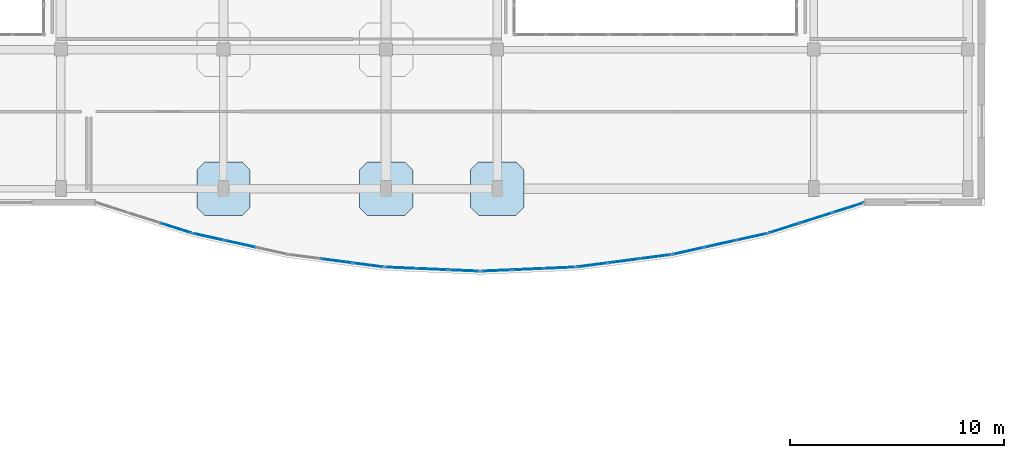
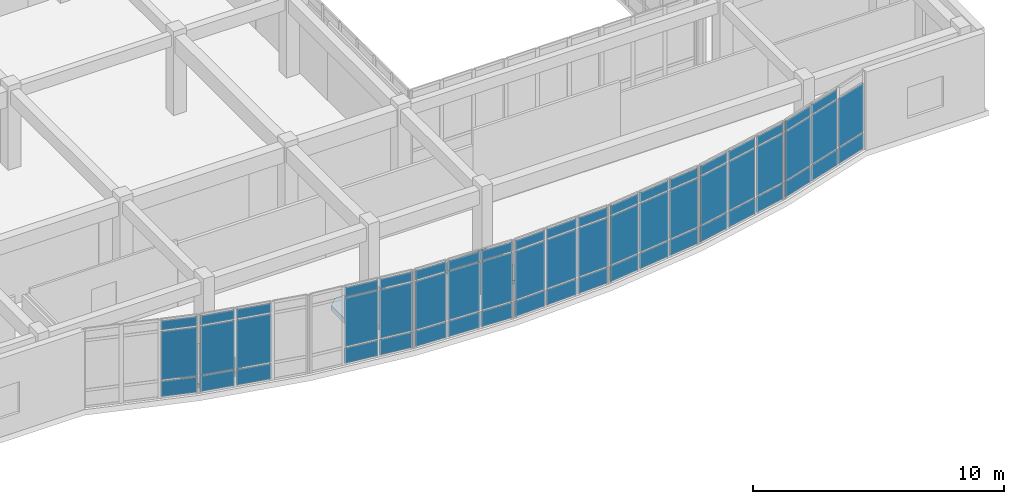
# One storey, part 118 of 146: 59 plates, 3 slabs, 8 elements without a shape of their own.
"""IFC4 building model written with IfcOpenShell, lengths in metres."""

from ifc_helpers import new_model, si_unit, direction, frame, origin, origin_2d, place, context, subcontext, project, spatial, polyline, rectangle, outline, extrude, material, layer, layer_set, type_object, element, aggregate, save


model = new_model("IFC4")

# Units and contexts
model_context = context("Model", 3, precision=1e-05, world=origin(), true_north=direction((0.0, 1.0)))
body_context = subcontext(model_context, "Body", "Model", "MODEL_VIEW")
ifc_project = project(units=[si_unit("LENGTHUNIT", "METRE"), si_unit("AREAUNIT", "SQUARE_METRE"), si_unit("VOLUMEUNIT", "CUBIC_METRE"), si_unit("PLANEANGLEUNIT", "RADIAN"), si_unit("MASSUNIT", "GRAM", prefix="KILO")], contexts=[model_context])

# Site, building, storey
site_placement = place(None, origin())
site = spatial("IfcSite", under=ifc_project, at=site_placement, CompositionType="ELEMENT")
building_placement = place(site_placement, origin())
building = spatial("IfcBuilding", under=site, at=building_placement, Name="Valcora Specialist Clinic", CompositionType="ELEMENT")
storey_placement = place(building_placement, frame((0.0, 0.0, 9.52001953125)))
storey = spatial("IfcBuildingStorey", under=building, at=storey_placement, Name="L02", CompositionType="ELEMENT", Elevation=9.52001953125)

# Curtain wall, plates
ifc_material_1 = material(Name="Anodized Bronze Aluminium 6063-T6", Category="aluminium")
ifc_layer_1 = layer(ifc_material_1, 0.175048828125)
ifc_layer_set_1 = layer_set([ifc_layer_1], Name="Anodized Bronze Aluminium 6063-T6")
curtain_wall_type = type_object("IfcCurtainWallType", Name="TY-CW-ARC40", PredefinedType="NOTDEFINED", material=ifc_layer_set_1)
curtain_wall_1_placement = place(storey_placement, origin())
curtain_wall_1 = element("IfcCurtainWall", 1, at=curtain_wall_1_placement, inside=storey, type_object=curtain_wall_type, Name="Curtain wall CW-L02-086", PredefinedType="NOTDEFINED")
ifc_material_2 = material(Name="Low-E Laminated Insulating Glass", Category="glass")
ifc_layer_2 = layer(ifc_material_2, 0.028076171875)
ifc_layer_set_2 = layer_set([ifc_layer_2], Name="Low-E Laminated Insulating Glass")
plate_type_1 = type_object("IfcPlateType", Name="TY-CWP-GLZ28", PredefinedType="CURTAIN_PANEL", material=ifc_layer_set_2)
plate_1_placement = place(storey_placement, frame((123.09716796875, 72.543701171875, 0.882568359375), z_axis=(0.0, 0.0, 1.0), x_axis=(-0.976278614432, -0.216518052372, 0.0)))
plate_1 = element("IfcPlate", 2, at=plate_1_placement, type_object=plate_type_1, Name="CW-ARC-40 panel 1.2", PredefinedType="CURTAIN_PANEL", context=body_context, shape_type="SweptSolid", body=[
    extrude(rectangle(XDim=1.4345703125, YDim=0.028076171875, at=origin_2d()), origin(), (0.0, 0.0, 1.0), 2.35498046875),
])
plate_2_placement = place(storey_placement, frame((123.09716796875, 72.543701171875, 3.302734375), z_axis=(0.0, 0.0, 1.0), x_axis=(-0.976278614432, -0.216518052372, 0.0)))
plate_2 = element("IfcPlate", 3, at=plate_2_placement, type_object=plate_type_1, Name="CW-ARC-40 panel 1.3", PredefinedType="CURTAIN_PANEL", context=body_context, shape_type="SweptSolid", body=[
    extrude(rectangle(XDim=1.4345703125, YDim=0.028076171875, at=origin_2d()), origin(), (0.0, 0.0, 1.0), 0.452392578125),
])
plate_3_placement = place(storey_placement, frame((121.617431640625, 72.21533203125, 0.882568359375), z_axis=(0.0, 0.0, 1.0), x_axis=(-0.976278614432, -0.216518052372, 0.0)))
plate_3 = element("IfcPlate", 4, at=plate_3_placement, type_object=plate_type_1, Name="CW-ARC-40 panel 2.2", PredefinedType="CURTAIN_PANEL", context=body_context, shape_type="SweptSolid", body=[
    extrude(rectangle(XDim=1.467041015625, YDim=0.028076171875, at=origin_2d()), origin(), (0.0, 0.0, 1.0), 2.35498046875),
])
plate_4_placement = place(storey_placement, frame((121.617431640625, 72.21533203125, 3.302734375), z_axis=(0.0, 0.0, 1.0), x_axis=(-0.976278614432, -0.216518052372, 0.0)))
plate_4 = element("IfcPlate", 5, at=plate_4_placement, type_object=plate_type_1, Name="CW-ARC-40 panel 2.3", PredefinedType="CURTAIN_PANEL", context=body_context, shape_type="SweptSolid", body=[
    extrude(rectangle(XDim=1.467041015625, YDim=0.028076171875, at=origin_2d()), origin(), (0.0, 0.0, 1.0), 0.452392578125),
])
plate_5_placement = place(storey_placement, frame((120.1376953125, 71.88720703125, 0.882568359375), z_axis=(0.0, 0.0, 1.0), x_axis=(-0.976278614432, -0.216518052372, 0.0)))
plate_5 = element("IfcPlate", 6, at=plate_5_placement, type_object=plate_type_1, Name="CW-ARC-40 panel 3.2", PredefinedType="CURTAIN_PANEL", context=body_context, shape_type="SweptSolid", body=[
    extrude(rectangle(XDim=1.4345703125, YDim=0.028076171875, at=origin_2d()), origin(), (0.0, 0.0, 1.0), 2.35498046875),
])
plate_6_placement = place(storey_placement, frame((120.1376953125, 71.88720703125, 3.302734375), z_axis=(0.0, 0.0, 1.0), x_axis=(-0.976278614432, -0.216518052372, 0.0)))
plate_6 = element("IfcPlate", 7, at=plate_6_placement, type_object=plate_type_1, Name="CW-ARC-40 panel 3.3", PredefinedType="CURTAIN_PANEL", context=body_context, shape_type="SweptSolid", body=[
    extrude(rectangle(XDim=1.4345703125, YDim=0.028076171875, at=origin_2d()), origin(), (0.0, 0.0, 1.0), 0.452392578125),
])

curtain_wall_2_placement = place(storey_placement, origin())
curtain_wall_2 = element("IfcCurtainWall", 8, at=curtain_wall_2_placement, inside=storey, type_object=curtain_wall_type, Name="Curtain wall CW-L02-088", PredefinedType="NOTDEFINED")
plate_7_placement = place(storey_placement, frame((114.123046875, 71.096435546875, 0.882568359375), z_axis=(0.0, 0.0, 1.0), x_axis=(-0.999061821291, -0.043306780525, 0.0)))
plate_7 = element("IfcPlate", 9, at=plate_7_placement, type_object=plate_type_1, Name="CW-ARC-40 panel 1.2", PredefinedType="CURTAIN_PANEL", context=body_context, shape_type="SweptSolid", body=[
    extrude(rectangle(XDim=1.399658203125, YDim=0.028076171875, at=origin_2d()), origin(), (0.0, 0.0, 1.0), 2.35498046875),
])
plate_8_placement = place(storey_placement, frame((114.123046875, 71.096435546875, 3.302734375), z_axis=(0.0, 0.0, 1.0), x_axis=(-0.999061821291, -0.043306780525, 0.0)))
plate_8 = element("IfcPlate", 10, at=plate_8_placement, type_object=plate_type_1, Name="CW-ARC-40 panel 1.3", PredefinedType="CURTAIN_PANEL", context=body_context, shape_type="SweptSolid", body=[
    extrude(rectangle(XDim=1.399658203125, YDim=0.028076171875, at=origin_2d()), origin(), (0.0, 0.0, 1.0), 0.452392578125),
])
plate_9_placement = place(storey_placement, frame((112.6435546875, 71.032470703125, 0.882568359375), z_axis=(0.0, 0.0, 1.0), x_axis=(-0.999061821291, -0.043306780525, 0.0)))
plate_9 = element("IfcPlate", 11, at=plate_9_placement, type_object=plate_type_1, Name="CW-ARC-40 panel 2.2", PredefinedType="CURTAIN_PANEL", context=body_context, shape_type="SweptSolid", body=[
    extrude(rectangle(XDim=1.43212890625, YDim=0.028076171875, at=origin_2d()), origin(), (0.0, 0.0, 1.0), 2.35498046875),
])
plate_10_placement = place(storey_placement, frame((112.6435546875, 71.032470703125, 3.302734375), z_axis=(0.0, 0.0, 1.0), x_axis=(-0.999061821291, -0.043306780525, 0.0)))
plate_10 = element("IfcPlate", 12, at=plate_10_placement, type_object=plate_type_1, Name="CW-ARC-40 panel 2.3", PredefinedType="CURTAIN_PANEL", context=body_context, shape_type="SweptSolid", body=[
    extrude(rectangle(XDim=1.43212890625, YDim=0.028076171875, at=origin_2d()), origin(), (0.0, 0.0, 1.0), 0.452392578125),
])
plate_11_placement = place(storey_placement, frame((111.1640625, 70.96826171875, 0.882568359375), z_axis=(0.0, 0.0, 1.0), x_axis=(-0.999061821291, -0.043306780525, 0.0)))
plate_11 = element("IfcPlate", 13, at=plate_11_placement, type_object=plate_type_1, Name="CW-ARC-40 panel 3.2", PredefinedType="CURTAIN_PANEL", context=body_context, shape_type="SweptSolid", body=[
    extrude(rectangle(XDim=1.399658203125, YDim=0.028076171875, at=origin_2d()), origin(), (0.0, 0.0, 1.0), 2.35498046875),
])
plate_12_placement = place(storey_placement, frame((111.1640625, 70.96826171875, 3.302734375), z_axis=(0.0, 0.0, 1.0), x_axis=(-0.999061821291, -0.043306780525, 0.0)))
plate_12 = element("IfcPlate", 14, at=plate_12_placement, type_object=plate_type_1, Name="CW-ARC-40 panel 3.3", PredefinedType="CURTAIN_PANEL", context=body_context, shape_type="SweptSolid", body=[
    extrude(rectangle(XDim=1.399658203125, YDim=0.028076171875, at=origin_2d()), origin(), (0.0, 0.0, 1.0), 0.452392578125),
])

curtain_wall_3_placement = place(storey_placement, origin())
curtain_wall_3 = element("IfcCurtainWall", 15, at=curtain_wall_3_placement, inside=storey, type_object=curtain_wall_type, Name="Curtain wall CW-L02-090", PredefinedType="NOTDEFINED")
plate_13_placement = place(storey_placement, frame((105.149169921875, 71.229736328125, 0.882568359375), z_axis=(0.0, 0.0, 1.0), x_axis=(-0.991514060421, 0.129999492259, 0.0)))
plate_13 = element("IfcPlate", 16, at=plate_13_placement, type_object=plate_type_1, Name="CW-ARC-40 panel 1.2", PredefinedType="CURTAIN_PANEL", context=body_context, shape_type="SweptSolid", body=[
    extrude(rectangle(XDim=1.410888671875, YDim=0.028076171875, at=origin_2d()), origin(), (0.0, 0.0, 1.0), 2.35498046875),
])
plate_14_placement = place(storey_placement, frame((105.149169921875, 71.229736328125, 3.302734375), z_axis=(0.0, 0.0, 1.0), x_axis=(-0.991514060421, 0.129999492259, 0.0)))
plate_14 = element("IfcPlate", 17, at=plate_14_placement, type_object=plate_type_1, Name="CW-ARC-40 panel 1.3", PredefinedType="CURTAIN_PANEL", context=body_context, shape_type="SweptSolid", body=[
    extrude(rectangle(XDim=1.410888671875, YDim=0.028076171875, at=origin_2d()), origin(), (0.0, 0.0, 1.0), 0.452392578125),
])
plate_15_placement = place(storey_placement, frame((103.66943359375, 71.423828125, 0.882568359375), z_axis=(0.0, 0.0, 1.0), x_axis=(-0.991514060421, 0.129999492259, 0.0)))
plate_15 = element("IfcPlate", 18, at=plate_15_placement, type_object=plate_type_1, Name="CW-ARC-40 panel 2.2", PredefinedType="CURTAIN_PANEL", context=body_context, shape_type="SweptSolid", body=[
    extrude(rectangle(XDim=1.443359375, YDim=0.028076171875, at=origin_2d()), origin(), (0.0, 0.0, 1.0), 2.35498046875),
])
plate_16_placement = place(storey_placement, frame((103.66943359375, 71.423828125, 3.302734375), z_axis=(0.0, 0.0, 1.0), x_axis=(-0.991514060421, 0.129999492259, 0.0)))
plate_16 = element("IfcPlate", 19, at=plate_16_placement, type_object=plate_type_1, Name="CW-ARC-40 panel 2.3", PredefinedType="CURTAIN_PANEL", context=body_context, shape_type="SweptSolid", body=[
    extrude(rectangle(XDim=1.443359375, YDim=0.028076171875, at=origin_2d()), origin(), (0.0, 0.0, 1.0), 0.452392578125),
])

curtain_wall_4_placement = place(storey_placement, origin())
curtain_wall_4 = element("IfcCurtainWall", 20, at=curtain_wall_4_placement, inside=storey, type_object=curtain_wall_type, Name="Curtain wall CW-L02-092", PredefinedType="NOTDEFINED")
plate_17_placement = place(storey_placement, frame((96.1708984375, 72.95751953125, 0.882568359375), z_axis=(0.0, 0.0, 1.0), x_axis=(-0.952916356972, 0.303233270958, 0.0)))
plate_17 = element("IfcPlate", 21, at=plate_17_placement, type_object=plate_type_1, Name="CW-ARC-40 panel 1.2", PredefinedType="CURTAIN_PANEL", context=body_context, shape_type="SweptSolid", body=[
    extrude(rectangle(XDim=1.482177734375, YDim=0.028076171875, at=origin_2d()), origin(), (0.0, 0.0, 1.0), 2.35498046875),
])
plate_18_placement = place(storey_placement, frame((96.1708984375, 72.95751953125, 3.302734375), z_axis=(0.0, 0.0, 1.0), x_axis=(-0.952916356972, 0.303233270958, 0.0)))
plate_18 = element("IfcPlate", 22, at=plate_18_placement, type_object=plate_type_1, Name="CW-ARC-40 panel 1.3", PredefinedType="CURTAIN_PANEL", context=body_context, shape_type="SweptSolid", body=[
    extrude(rectangle(XDim=1.482177734375, YDim=0.028076171875, at=origin_2d()), origin(), (0.0, 0.0, 1.0), 0.452392578125),
])

curtain_wall_5_placement = place(storey_placement, origin())
curtain_wall_5 = element("IfcCurtainWall", 23, at=curtain_wall_5_placement, inside=storey, type_object=curtain_wall_type, Name="Curtain wall CW-L02-085", PredefinedType="NOTDEFINED")
ifc_layer_3 = layer(ifc_material_2, 0.033935546875)
ifc_layer_set_3 = layer_set([ifc_layer_3], Name="Low-E Laminated Insulating Glass")
plate_type_2 = type_object("IfcPlateType", Name="TY-CWP-GLZ34", PredefinedType="CURTAIN_PANEL", material=ifc_layer_set_3)
plate_19_placement = place(storey_placement, frame((127.608642578125, 73.905517578125, 0.882568359375), z_axis=(0.0, 0.0, 1.0), x_axis=(-0.952916356972, -0.303233270958, 0.0)))
plate_19 = element("IfcPlate", 24, at=plate_19_placement, type_object=plate_type_2, Name="CW-ARC-40 panel 1.2", PredefinedType="CURTAIN_PANEL", context=body_context, shape_type="SweptSolid", body=[
    extrude(rectangle(XDim=1.482177734375, YDim=0.033935546875, at=origin_2d()), origin(), (0.0, 0.0, 1.0), 2.35498046875),
])
plate_20_placement = place(storey_placement, frame((126.118896484375, 73.431396484375, 0.882568359375), z_axis=(0.0, 0.0, 1.0), x_axis=(-0.952916356972, -0.303233270958, 0.0)))
plate_20 = element("IfcPlate", 25, at=plate_20_placement, type_object=plate_type_2, Name="CW-ARC-40 panel 2.2", PredefinedType="CURTAIN_PANEL", context=body_context, shape_type="SweptSolid", body=[
    extrude(rectangle(XDim=1.5146484375, YDim=0.033935546875, at=origin_2d()), origin(), (0.0, 0.0, 1.0), 2.35498046875),
])
plate_21_placement = place(storey_placement, frame((126.118896484375, 73.431396484375, 3.302734375), z_axis=(0.0, 0.0, 1.0), x_axis=(-0.952916356972, -0.303233270958, 0.0)))
plate_21 = element("IfcPlate", 26, at=plate_21_placement, type_object=plate_type_2, Name="CW-ARC-40 panel 2.3", PredefinedType="CURTAIN_PANEL", context=body_context, shape_type="SweptSolid", body=[
    extrude(rectangle(XDim=1.5146484375, YDim=0.033935546875, at=origin_2d()), origin(), (0.0, 0.0, 1.0), 0.452392578125),
])
plate_22_placement = place(storey_placement, frame((124.62890625, 72.95751953125, 0.882568359375), z_axis=(0.0, 0.0, 1.0), x_axis=(-0.952916356972, -0.303233270958, 0.0)))
plate_22 = element("IfcPlate", 27, at=plate_22_placement, type_object=plate_type_2, Name="CW-ARC-40 panel 3.2", PredefinedType="CURTAIN_PANEL", context=body_context, shape_type="SweptSolid", body=[
    extrude(rectangle(XDim=1.482177734375, YDim=0.033935546875, at=origin_2d()), origin(), (0.0, 0.0, 1.0), 2.35498046875),
])
plate_23_placement = place(storey_placement, frame((124.62890625, 72.95751953125, 3.302734375), z_axis=(0.0, 0.0, 1.0), x_axis=(-0.952916356972, -0.303233270958, 0.0)))
plate_23 = element("IfcPlate", 28, at=plate_23_placement, type_object=plate_type_2, Name="CW-ARC-40 panel 3.3", PredefinedType="CURTAIN_PANEL", context=body_context, shape_type="SweptSolid", body=[
    extrude(rectangle(XDim=1.482177734375, YDim=0.033935546875, at=origin_2d()), origin(), (0.0, 0.0, 1.0), 0.452392578125),
])

curtain_wall_6_placement = place(storey_placement, origin())
curtain_wall_6 = element("IfcCurtainWall", 29, at=curtain_wall_6_placement, inside=storey, type_object=curtain_wall_type, Name="Curtain wall CW-L02-087", PredefinedType="NOTDEFINED")
plate_24_placement = place(storey_placement, frame((118.610107421875, 71.61767578125, 0.882568359375), z_axis=(0.0, 0.0, 1.0), x_axis=(-0.991514060421, -0.129999492259, 0.0)))
plate_24 = element("IfcPlate", 30, at=plate_24_placement, type_object=plate_type_2, Name="CW-ARC-40 panel 1.2", PredefinedType="CURTAIN_PANEL", context=body_context, shape_type="SweptSolid", body=[
    extrude(rectangle(XDim=1.410888671875, YDim=0.033935546875, at=origin_2d()), origin(), (0.0, 0.0, 1.0), 2.35498046875),
])
plate_25_placement = place(storey_placement, frame((118.610107421875, 71.61767578125, 3.302734375), z_axis=(0.0, 0.0, 1.0), x_axis=(-0.991514060421, -0.129999492259, 0.0)))
plate_25 = element("IfcPlate", 31, at=plate_25_placement, type_object=plate_type_2, Name="CW-ARC-40 panel 1.3", PredefinedType="CURTAIN_PANEL", context=body_context, shape_type="SweptSolid", body=[
    extrude(rectangle(XDim=1.410888671875, YDim=0.033935546875, at=origin_2d()), origin(), (0.0, 0.0, 1.0), 0.452392578125),
])
plate_26_placement = place(storey_placement, frame((117.130615234375, 71.423828125, 0.882568359375), z_axis=(0.0, 0.0, 1.0), x_axis=(-0.991514060421, -0.129999492259, 0.0)))
plate_26 = element("IfcPlate", 32, at=plate_26_placement, type_object=plate_type_2, Name="CW-ARC-40 panel 2.2", PredefinedType="CURTAIN_PANEL", context=body_context, shape_type="SweptSolid", body=[
    extrude(rectangle(XDim=1.443359375, YDim=0.033935546875, at=origin_2d()), origin(), (0.0, 0.0, 1.0), 2.35498046875),
])
plate_27_placement = place(storey_placement, frame((117.130615234375, 71.423828125, 3.302734375), z_axis=(0.0, 0.0, 1.0), x_axis=(-0.991514060421, -0.129999492259, 0.0)))
plate_27 = element("IfcPlate", 33, at=plate_27_placement, type_object=plate_type_2, Name="CW-ARC-40 panel 2.3", PredefinedType="CURTAIN_PANEL", context=body_context, shape_type="SweptSolid", body=[
    extrude(rectangle(XDim=1.443359375, YDim=0.033935546875, at=origin_2d()), origin(), (0.0, 0.0, 1.0), 0.452392578125),
])
plate_28_placement = place(storey_placement, frame((115.65087890625, 71.229736328125, 0.882568359375), z_axis=(0.0, 0.0, 1.0), x_axis=(-0.991514060421, -0.129999492259, 0.0)))
plate_28 = element("IfcPlate", 34, at=plate_28_placement, type_object=plate_type_2, Name="CW-ARC-40 panel 3.2", PredefinedType="CURTAIN_PANEL", context=body_context, shape_type="SweptSolid", body=[
    extrude(rectangle(XDim=1.410888671875, YDim=0.033935546875, at=origin_2d()), origin(), (0.0, 0.0, 1.0), 2.35498046875),
])
plate_29_placement = place(storey_placement, frame((115.65087890625, 71.229736328125, 3.302734375), z_axis=(0.0, 0.0, 1.0), x_axis=(-0.991514060421, -0.129999492259, 0.0)))
plate_29 = element("IfcPlate", 35, at=plate_29_placement, type_object=plate_type_2, Name="CW-ARC-40 panel 3.3", PredefinedType="CURTAIN_PANEL", context=body_context, shape_type="SweptSolid", body=[
    extrude(rectangle(XDim=1.410888671875, YDim=0.033935546875, at=origin_2d()), origin(), (0.0, 0.0, 1.0), 0.452392578125),
])

curtain_wall_7_placement = place(storey_placement, origin())
curtain_wall_7 = element("IfcCurtainWall", 36, at=curtain_wall_7_placement, inside=storey, type_object=curtain_wall_type, Name="Curtain wall CW-L02-089", PredefinedType="NOTDEFINED")
plate_30_placement = place(storey_placement, frame((109.635986328125, 70.96826171875, 0.882568359375), z_axis=(0.0, 0.0, 1.0), x_axis=(-0.999061821291, 0.043306780525, 0.0)))
plate_30 = element("IfcPlate", 37, at=plate_30_placement, type_object=plate_type_2, Name="CW-ARC-40 panel 1.2", PredefinedType="CURTAIN_PANEL", context=body_context, shape_type="SweptSolid", body=[
    extrude(rectangle(XDim=1.399658203125, YDim=0.033935546875, at=origin_2d()), origin(), (0.0, 0.0, 1.0), 2.35498046875),
])
plate_31_placement = place(storey_placement, frame((109.635986328125, 70.96826171875, 3.302734375), z_axis=(0.0, 0.0, 1.0), x_axis=(-0.999061821291, 0.043306780525, 0.0)))
plate_31 = element("IfcPlate", 38, at=plate_31_placement, type_object=plate_type_2, Name="CW-ARC-40 panel 1.3", PredefinedType="CURTAIN_PANEL", context=body_context, shape_type="SweptSolid", body=[
    extrude(rectangle(XDim=1.399658203125, YDim=0.033935546875, at=origin_2d()), origin(), (0.0, 0.0, 1.0), 0.452392578125),
])
plate_32_placement = place(storey_placement, frame((108.156494140625, 71.032470703125, 0.882568359375), z_axis=(0.0, 0.0, 1.0), x_axis=(-0.999061821291, 0.043306780525, 0.0)))
plate_32 = element("IfcPlate", 39, at=plate_32_placement, type_object=plate_type_2, Name="CW-ARC-40 panel 2.2", PredefinedType="CURTAIN_PANEL", context=body_context, shape_type="SweptSolid", body=[
    extrude(rectangle(XDim=1.43212890625, YDim=0.033935546875, at=origin_2d()), origin(), (0.0, 0.0, 1.0), 2.35498046875),
])
plate_33_placement = place(storey_placement, frame((108.156494140625, 71.032470703125, 3.302734375), z_axis=(0.0, 0.0, 1.0), x_axis=(-0.999061821291, 0.043306780525, 0.0)))
plate_33 = element("IfcPlate", 40, at=plate_33_placement, type_object=plate_type_2, Name="CW-ARC-40 panel 2.3", PredefinedType="CURTAIN_PANEL", context=body_context, shape_type="SweptSolid", body=[
    extrude(rectangle(XDim=1.43212890625, YDim=0.033935546875, at=origin_2d()), origin(), (0.0, 0.0, 1.0), 0.452392578125),
])
plate_34_placement = place(storey_placement, frame((106.677001953125, 71.096435546875, 0.882568359375), z_axis=(0.0, 0.0, 1.0), x_axis=(-0.999061821291, 0.043306780525, 0.0)))
plate_34 = element("IfcPlate", 41, at=plate_34_placement, type_object=plate_type_2, Name="CW-ARC-40 panel 3.2", PredefinedType="CURTAIN_PANEL", context=body_context, shape_type="SweptSolid", body=[
    extrude(rectangle(XDim=1.399658203125, YDim=0.033935546875, at=origin_2d()), origin(), (0.0, 0.0, 1.0), 2.35498046875),
])
plate_35_placement = place(storey_placement, frame((106.677001953125, 71.096435546875, 3.302734375), z_axis=(0.0, 0.0, 1.0), x_axis=(-0.999061821291, 0.043306780525, 0.0)))
plate_35 = element("IfcPlate", 42, at=plate_35_placement, type_object=plate_type_2, Name="CW-ARC-40 panel 3.3", PredefinedType="CURTAIN_PANEL", context=body_context, shape_type="SweptSolid", body=[
    extrude(rectangle(XDim=1.399658203125, YDim=0.033935546875, at=origin_2d()), origin(), (0.0, 0.0, 1.0), 0.452392578125),
])

curtain_wall_8_placement = place(storey_placement, origin())
curtain_wall_8 = element("IfcCurtainWall", 43, at=curtain_wall_8_placement, inside=storey, type_object=curtain_wall_type, Name="Curtain wall CW-L02-091", PredefinedType="NOTDEFINED")
plate_36_placement = place(storey_placement, frame((99.1826171875, 72.21533203125, 0.882568359375), z_axis=(0.0, 0.0, 1.0), x_axis=(-0.976278614432, 0.216518052372, 0.0)))
plate_36 = element("IfcPlate", 44, at=plate_36_placement, type_object=plate_type_2, Name="CW-ARC-40 panel 2.2", PredefinedType="CURTAIN_PANEL", context=body_context, shape_type="SweptSolid", body=[
    extrude(rectangle(XDim=1.467041015625, YDim=0.033935546875, at=origin_2d()), origin(), (0.0, 0.0, 1.0), 2.35498046875),
])
plate_37_placement = place(storey_placement, frame((99.1826171875, 72.21533203125, 3.302734375), z_axis=(0.0, 0.0, 1.0), x_axis=(-0.976278614432, 0.216518052372, 0.0)))
plate_37 = element("IfcPlate", 45, at=plate_37_placement, type_object=plate_type_2, Name="CW-ARC-40 panel 2.3", PredefinedType="CURTAIN_PANEL", context=body_context, shape_type="SweptSolid", body=[
    extrude(rectangle(XDim=1.467041015625, YDim=0.033935546875, at=origin_2d()), origin(), (0.0, 0.0, 1.0), 0.452392578125),
])
plate_38_placement = place(storey_placement, frame((97.702880859375, 72.543701171875, 0.882568359375), z_axis=(0.0, 0.0, 1.0), x_axis=(-0.976278614432, 0.216518052372, 0.0)))
plate_38 = element("IfcPlate", 46, at=plate_38_placement, type_object=plate_type_2, Name="CW-ARC-40 panel 3.2", PredefinedType="CURTAIN_PANEL", context=body_context, shape_type="SweptSolid", body=[
    extrude(rectangle(XDim=1.4345703125, YDim=0.033935546875, at=origin_2d()), origin(), (0.0, 0.0, 1.0), 2.35498046875),
])
plate_39_placement = place(storey_placement, frame((97.702880859375, 72.543701171875, 3.302734375), z_axis=(0.0, 0.0, 1.0), x_axis=(-0.976278614432, 0.216518052372, 0.0)))
plate_39 = element("IfcPlate", 47, at=plate_39_placement, type_object=plate_type_2, Name="CW-ARC-40 panel 3.3", PredefinedType="CURTAIN_PANEL", context=body_context, shape_type="SweptSolid", body=[
    extrude(rectangle(XDim=1.4345703125, YDim=0.033935546875, at=origin_2d()), origin(), (0.0, 0.0, 1.0), 0.452392578125),
])

# Plate
ifc_material_3 = material(Name="Insulated Spandrel Panel")
ifc_layer_4 = layer(ifc_material_3, 0.044921875)
ifc_layer_set_4 = layer_set([ifc_layer_4], Name="Insulated Spandrel Panel")
plate_type_3 = type_object("IfcPlateType", Name="TY-CWP-SPN45", PredefinedType="SHEET", material=ifc_layer_set_4)
plate_40_placement = place(storey_placement, frame((127.608642578125, 73.905517578125, 0.06494140625), z_axis=(0.0, 0.0, 1.0), x_axis=(-0.952916356972, -0.303233270958, 0.0)))
plate_40 = element("IfcPlate", 48, at=plate_40_placement, type_object=plate_type_3, Name="CW-ARC-40 panel 1.1", PredefinedType="SHEET", context=body_context, shape_type="SweptSolid", body=[
    extrude(rectangle(XDim=1.482177734375, YDim=0.044921875, at=origin_2d()), origin(), (0.0, 0.0, 1.0), 0.75244140625),
])

plate_41_placement = place(storey_placement, frame((126.118896484375, 73.431396484375, 0.06494140625), z_axis=(0.0, 0.0, 1.0), x_axis=(-0.952916356972, -0.303233270958, 0.0)))
plate_41 = element("IfcPlate", 49, at=plate_41_placement, type_object=plate_type_3, Name="CW-ARC-40 panel 2.1", PredefinedType="SHEET", context=body_context, shape_type="SweptSolid", body=[
    extrude(rectangle(XDim=1.5146484375, YDim=0.044921875, at=origin_2d()), origin(), (0.0, 0.0, 1.0), 0.75244140625),
])

plate_42_placement = place(storey_placement, frame((124.62890625, 72.95751953125, 0.06494140625), z_axis=(0.0, 0.0, 1.0), x_axis=(-0.952916356972, -0.303233270958, 0.0)))
plate_42 = element("IfcPlate", 50, at=plate_42_placement, type_object=plate_type_3, Name="CW-ARC-40 panel 3.1", PredefinedType="SHEET", context=body_context, shape_type="SweptSolid", body=[
    extrude(rectangle(XDim=1.482177734375, YDim=0.044921875, at=origin_2d()), origin(), (0.0, 0.0, 1.0), 0.75244140625),
])

aggregate(curtain_wall_5, [plate_40, plate_19, plate_41, plate_20, plate_21, plate_42, plate_22, plate_23])

plate_43_placement = place(storey_placement, frame((123.09716796875, 72.543701171875, 0.06494140625), z_axis=(0.0, 0.0, 1.0), x_axis=(-0.976278614432, -0.216518052372, 0.0)))
plate_43 = element("IfcPlate", 51, at=plate_43_placement, type_object=plate_type_3, Name="CW-ARC-40 panel 1.1", PredefinedType="SHEET", context=body_context, shape_type="SweptSolid", body=[
    extrude(rectangle(XDim=1.4345703125, YDim=0.044921875, at=origin_2d()), origin(), (0.0, 0.0, 1.0), 0.75244140625),
])

plate_44_placement = place(storey_placement, frame((121.617431640625, 72.21533203125, 0.06494140625), z_axis=(0.0, 0.0, 1.0), x_axis=(-0.976278614432, -0.216518052372, 0.0)))
plate_44 = element("IfcPlate", 52, at=plate_44_placement, type_object=plate_type_3, Name="CW-ARC-40 panel 2.1", PredefinedType="SHEET", context=body_context, shape_type="SweptSolid", body=[
    extrude(rectangle(XDim=1.467041015625, YDim=0.044921875, at=origin_2d()), origin(), (0.0, 0.0, 1.0), 0.75244140625),
])

plate_45_placement = place(storey_placement, frame((120.1376953125, 71.88720703125, 0.06494140625), z_axis=(0.0, 0.0, 1.0), x_axis=(-0.976278614432, -0.216518052372, 0.0)))
plate_45 = element("IfcPlate", 53, at=plate_45_placement, type_object=plate_type_3, Name="CW-ARC-40 panel 3.1", PredefinedType="SHEET", context=body_context, shape_type="SweptSolid", body=[
    extrude(rectangle(XDim=1.4345703125, YDim=0.044921875, at=origin_2d()), origin(), (0.0, 0.0, 1.0), 0.75244140625),
])

aggregate(curtain_wall_1, [plate_43, plate_1, plate_2, plate_44, plate_3, plate_4, plate_45, plate_5, plate_6])

plate_46_placement = place(storey_placement, frame((118.610107421875, 71.61767578125, 0.06494140625), z_axis=(0.0, 0.0, 1.0), x_axis=(-0.991514060421, -0.129999492259, 0.0)))
plate_46 = element("IfcPlate", 54, at=plate_46_placement, type_object=plate_type_3, Name="CW-ARC-40 panel 1.1", PredefinedType="SHEET", context=body_context, shape_type="SweptSolid", body=[
    extrude(rectangle(XDim=1.410888671875, YDim=0.044921875, at=origin_2d()), origin(), (0.0, 0.0, 1.0), 0.75244140625),
])

plate_47_placement = place(storey_placement, frame((117.130615234375, 71.423828125, 0.06494140625), z_axis=(0.0, 0.0, 1.0), x_axis=(-0.991514060421, -0.129999492259, 0.0)))
plate_47 = element("IfcPlate", 55, at=plate_47_placement, type_object=plate_type_3, Name="CW-ARC-40 panel 2.1", PredefinedType="SHEET", context=body_context, shape_type="SweptSolid", body=[
    extrude(rectangle(XDim=1.443359375, YDim=0.044921875, at=origin_2d()), origin(), (0.0, 0.0, 1.0), 0.75244140625),
])

plate_48_placement = place(storey_placement, frame((115.65087890625, 71.229736328125, 0.06494140625), z_axis=(0.0, 0.0, 1.0), x_axis=(-0.991514060421, -0.129999492259, 0.0)))
plate_48 = element("IfcPlate", 56, at=plate_48_placement, type_object=plate_type_3, Name="CW-ARC-40 panel 3.1", PredefinedType="SHEET", context=body_context, shape_type="SweptSolid", body=[
    extrude(rectangle(XDim=1.410888671875, YDim=0.044921875, at=origin_2d()), origin(), (0.0, 0.0, 1.0), 0.75244140625),
])

aggregate(curtain_wall_6, [plate_46, plate_24, plate_25, plate_47, plate_26, plate_27, plate_48, plate_28, plate_29])

plate_49_placement = place(storey_placement, frame((114.123046875, 71.096435546875, 0.06494140625), z_axis=(0.0, 0.0, 1.0), x_axis=(-0.999061821291, -0.043306780525, 0.0)))
plate_49 = element("IfcPlate", 57, at=plate_49_placement, type_object=plate_type_3, Name="CW-ARC-40 panel 1.1", PredefinedType="SHEET", context=body_context, shape_type="SweptSolid", body=[
    extrude(rectangle(XDim=1.399658203125, YDim=0.044921875, at=origin_2d()), origin(), (0.0, 0.0, 1.0), 0.75244140625),
])

plate_50_placement = place(storey_placement, frame((112.6435546875, 71.032470703125, 0.06494140625), z_axis=(0.0, 0.0, 1.0), x_axis=(-0.999061821291, -0.043306780525, 0.0)))
plate_50 = element("IfcPlate", 58, at=plate_50_placement, type_object=plate_type_3, Name="CW-ARC-40 panel 2.1", PredefinedType="SHEET", context=body_context, shape_type="SweptSolid", body=[
    extrude(rectangle(XDim=1.43212890625, YDim=0.044921875, at=origin_2d()), origin(), (0.0, 0.0, 1.0), 0.75244140625),
])

plate_51_placement = place(storey_placement, frame((111.1640625, 70.96826171875, 0.06494140625), z_axis=(0.0, 0.0, 1.0), x_axis=(-0.999061821291, -0.043306780525, 0.0)))
plate_51 = element("IfcPlate", 59, at=plate_51_placement, type_object=plate_type_3, Name="CW-ARC-40 panel 3.1", PredefinedType="SHEET", context=body_context, shape_type="SweptSolid", body=[
    extrude(rectangle(XDim=1.399658203125, YDim=0.044921875, at=origin_2d()), origin(), (0.0, 0.0, 1.0), 0.75244140625),
])

aggregate(curtain_wall_2, [plate_49, plate_7, plate_8, plate_50, plate_9, plate_10, plate_51, plate_11, plate_12])

plate_52_placement = place(storey_placement, frame((109.635986328125, 70.96826171875, 0.06494140625), z_axis=(0.0, 0.0, 1.0), x_axis=(-0.999061821291, 0.043306780525, 0.0)))
plate_52 = element("IfcPlate", 60, at=plate_52_placement, type_object=plate_type_3, Name="CW-ARC-40 panel 1.1", PredefinedType="SHEET", context=body_context, shape_type="SweptSolid", body=[
    extrude(rectangle(XDim=1.399658203125, YDim=0.044921875, at=origin_2d()), origin(), (0.0, 0.0, 1.0), 0.75244140625),
])

plate_53_placement = place(storey_placement, frame((108.156494140625, 71.032470703125, 0.06494140625), z_axis=(0.0, 0.0, 1.0), x_axis=(-0.999061821291, 0.043306780525, 0.0)))
plate_53 = element("IfcPlate", 61, at=plate_53_placement, type_object=plate_type_3, Name="CW-ARC-40 panel 2.1", PredefinedType="SHEET", context=body_context, shape_type="SweptSolid", body=[
    extrude(rectangle(XDim=1.43212890625, YDim=0.044921875, at=origin_2d()), origin(), (0.0, 0.0, 1.0), 0.75244140625),
])

plate_54_placement = place(storey_placement, frame((106.677001953125, 71.096435546875, 0.06494140625), z_axis=(0.0, 0.0, 1.0), x_axis=(-0.999061821291, 0.043306780525, 0.0)))
plate_54 = element("IfcPlate", 62, at=plate_54_placement, type_object=plate_type_3, Name="CW-ARC-40 panel 3.1", PredefinedType="SHEET", context=body_context, shape_type="SweptSolid", body=[
    extrude(rectangle(XDim=1.399658203125, YDim=0.044921875, at=origin_2d()), origin(), (0.0, 0.0, 1.0), 0.75244140625),
])

aggregate(curtain_wall_7, [plate_52, plate_30, plate_31, plate_53, plate_32, plate_33, plate_54, plate_34, plate_35])

plate_55_placement = place(storey_placement, frame((105.149169921875, 71.229736328125, 0.06494140625), z_axis=(0.0, 0.0, 1.0), x_axis=(-0.991514060421, 0.129999492259, 0.0)))
plate_55 = element("IfcPlate", 63, at=plate_55_placement, type_object=plate_type_3, Name="CW-ARC-40 panel 1.1", PredefinedType="SHEET", context=body_context, shape_type="SweptSolid", body=[
    extrude(rectangle(XDim=1.410888671875, YDim=0.044921875, at=origin_2d()), origin(), (0.0, 0.0, 1.0), 0.75244140625),
])

plate_56_placement = place(storey_placement, frame((103.66943359375, 71.423828125, 0.06494140625), z_axis=(0.0, 0.0, 1.0), x_axis=(-0.991514060421, 0.129999492259, 0.0)))
plate_56 = element("IfcPlate", 64, at=plate_56_placement, type_object=plate_type_3, Name="CW-ARC-40 panel 2.1", PredefinedType="SHEET", context=body_context, shape_type="SweptSolid", body=[
    extrude(rectangle(XDim=1.443359375, YDim=0.044921875, at=origin_2d()), origin(), (0.0, 0.0, 1.0), 0.75244140625),
])

aggregate(curtain_wall_3, [plate_55, plate_13, plate_14, plate_56, plate_15, plate_16])

plate_57_placement = place(storey_placement, frame((99.1826171875, 72.21533203125, 0.06494140625), z_axis=(0.0, 0.0, 1.0), x_axis=(-0.976278614432, 0.216518052372, 0.0)))
plate_57 = element("IfcPlate", 65, at=plate_57_placement, type_object=plate_type_3, Name="CW-ARC-40 panel 2.1", PredefinedType="SHEET", context=body_context, shape_type="SweptSolid", body=[
    extrude(rectangle(XDim=1.467041015625, YDim=0.044921875, at=origin_2d()), origin(), (0.0, 0.0, 1.0), 0.75244140625),
])

plate_58_placement = place(storey_placement, frame((97.702880859375, 72.543701171875, 0.06494140625), z_axis=(0.0, 0.0, 1.0), x_axis=(-0.976278614432, 0.216518052372, 0.0)))
plate_58 = element("IfcPlate", 66, at=plate_58_placement, type_object=plate_type_3, Name="CW-ARC-40 panel 3.1", PredefinedType="SHEET", context=body_context, shape_type="SweptSolid", body=[
    extrude(rectangle(XDim=1.4345703125, YDim=0.044921875, at=origin_2d()), origin(), (0.0, 0.0, 1.0), 0.75244140625),
])

aggregate(curtain_wall_8, [plate_57, plate_36, plate_37, plate_58, plate_38, plate_39])

plate_59_placement = place(storey_placement, frame((96.1708984375, 72.95751953125, 0.06494140625), z_axis=(0.0, 0.0, 1.0), x_axis=(-0.952916356972, 0.303233270958, 0.0)))
plate_59 = element("IfcPlate", 67, at=plate_59_placement, type_object=plate_type_3, Name="CW-ARC-40 panel 1.1", PredefinedType="SHEET", context=body_context, shape_type="SweptSolid", body=[
    extrude(rectangle(XDim=1.482177734375, YDim=0.044921875, at=origin_2d()), origin(), (0.0, 0.0, 1.0), 0.75244140625),
])

aggregate(curtain_wall_4, [plate_59, plate_17, plate_18])

# Slabs
ifc_material_4 = material(Name="Concrete C40/50", Category="concrete")
ifc_layer_5 = layer(ifc_material_4, 0.175048828125)
ifc_layer_set_5 = layer_set([ifc_layer_5], Name="Concrete C40/50")
slab_type_1 = type_object("IfcSlabType", Name="TY-SL-DP175", PredefinedType="FLOOR", material=ifc_layer_set_5)
slab_1_placement = place(storey_placement, frame((0.0, 0.0, -0.449951171875)))
element("IfcSlab", 68, at=slab_1_placement, inside=storey, type_object=slab_type_1, Name="V4 column drop panel SL-L02-059", PredefinedType="FLOOR", context=body_context, shape_type="SweptSolid", body=[
    extrude(outline(polyline([(110.320068359375, 73.550048828125), (112.080078125, 73.550048828125), (112.449951171875, 73.919921875), (112.449951171875, 75.679931640625), (112.080078125, 76.050048828125), (110.320068359375, 76.050048828125), (109.949951171875, 75.679931640625), (109.949951171875, 73.919921875), (110.320068359375, 73.550048828125)])), origin(), (0.0, 0.0, 1.0), 0.175048828125),
])
ifc_layer_6 = layer(ifc_material_4, 0.18994140625)
ifc_layer_set_6 = layer_set([ifc_layer_6], Name="Concrete C40/50")
slab_type_2 = type_object("IfcSlabType", Name="TY-SL-DP190", PredefinedType="FLOOR", material=ifc_layer_set_6)
slab_2_placement = place(storey_placement, frame((0.0, 0.0, -0.465087890625)))
element("IfcSlab", 69, at=slab_2_placement, inside=storey, type_object=slab_type_2, Name="V4 column drop panel SL-L02-051", PredefinedType="FLOOR", context=body_context, shape_type="SweptSolid", body=[
    extrude(outline(polyline([(97.52001953125, 73.550048828125), (99.280029296875, 73.550048828125), (99.64990234375, 73.919921875), (99.64990234375, 75.679931640625), (99.280029296875, 76.050048828125), (97.52001953125, 76.050048828125), (97.14990234375, 75.679931640625), (97.14990234375, 73.919921875), (97.52001953125, 73.550048828125)])), origin(), (0.0, 0.0, 1.0), 0.190185546875),
])
ifc_layer_7 = layer(ifc_material_4, 0.235107421875)
ifc_layer_set_7 = layer_set([ifc_layer_7], Name="Concrete C40/50")
slab_type_3 = type_object("IfcSlabType", Name="TY-SL-DP235", PredefinedType="FLOOR", material=ifc_layer_set_7)
slab_3_placement = place(storey_placement, frame((0.0, 0.0, -0.510009765625)))
element("IfcSlab", 70, at=slab_3_placement, inside=storey, type_object=slab_type_3, Name="V4 column drop panel SL-L02-055", PredefinedType="FLOOR", context=body_context, shape_type="SweptSolid", body=[
    extrude(outline(polyline([(105.1201171875, 73.550048828125), (106.8798828125, 73.550048828125), (107.25, 73.919921875), (107.25, 75.679931640625), (106.8798828125, 76.050048828125), (105.1201171875, 76.050048828125), (104.75, 75.679931640625), (104.75, 73.919921875), (105.1201171875, 73.550048828125)])), origin(), (0.0, 0.0, 1.0), 0.235107421875),
])

save(model, "model.ifc")
